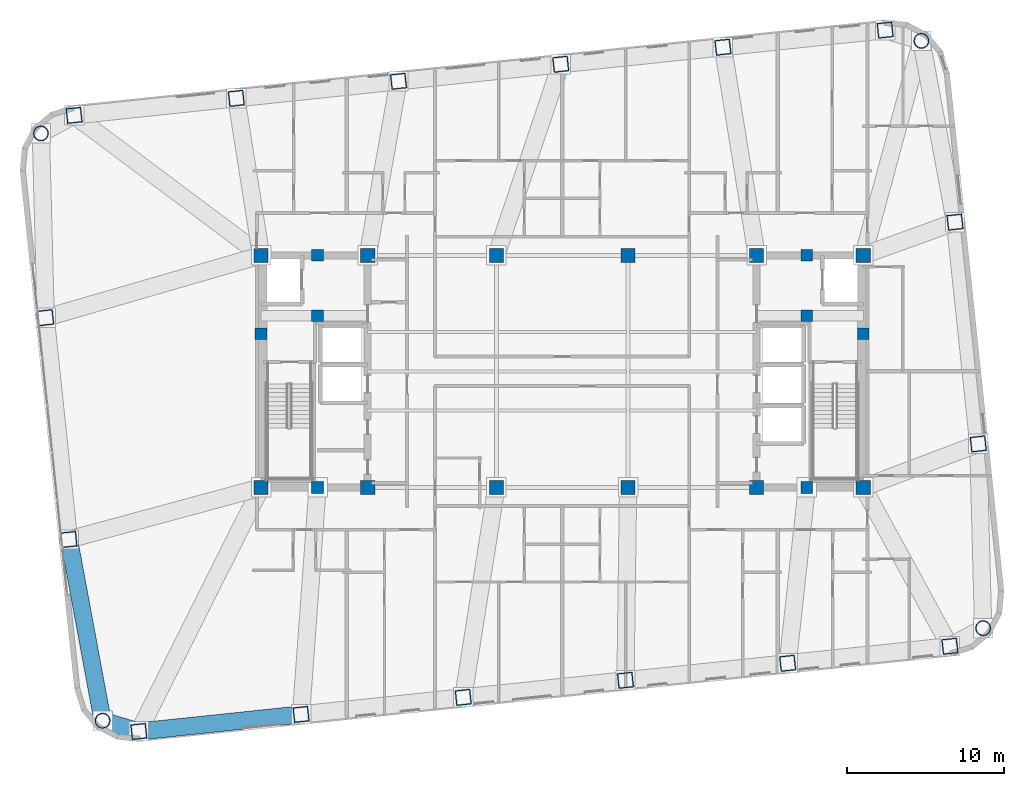
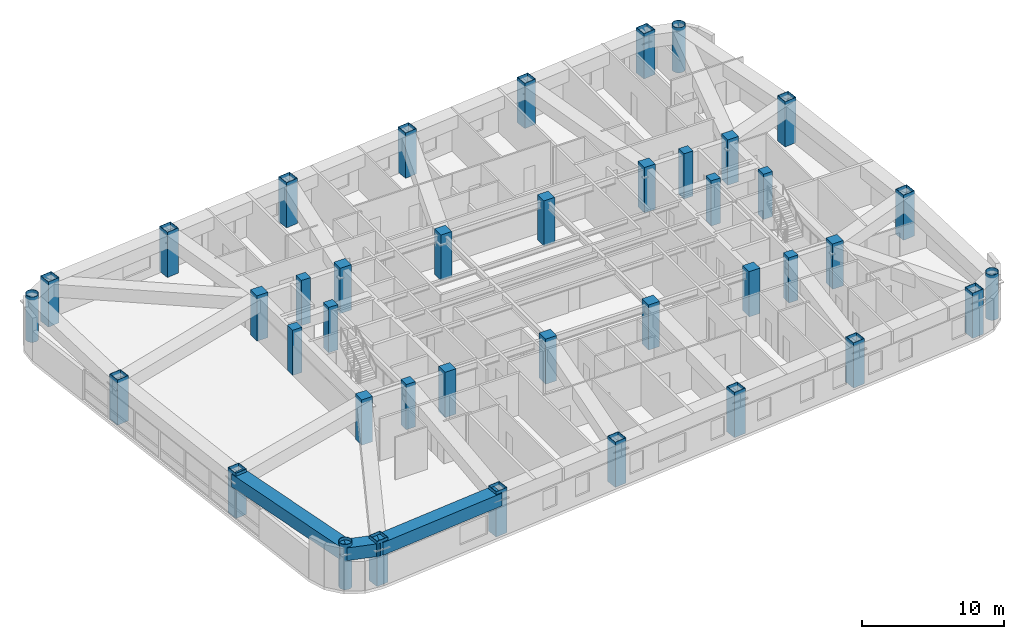
# One storey, part 1 of 14: 40 columns, 3 beams.
"""IFC4 building model written with IfcOpenShell, lengths in metres."""

from ifc_helpers import new_model, si_unit, direction, frame, origin, origin_2d, place, context, subcontext, project, spatial, rectangle, hollow_rectangle, hollow_circle, extrude, material, material_profile, profile_set, type_object, element, save


model = new_model("IFC4")

# Units and contexts
model_context = context("Model", 3, precision=1e-05, world=origin(), true_north=direction((0.0, 1.0)))
body_context = subcontext(model_context, "Body", "Model", "MODEL_VIEW")
ifc_project = project(units=[si_unit("LENGTHUNIT", "METRE"), si_unit("AREAUNIT", "SQUARE_METRE"), si_unit("VOLUMEUNIT", "CUBIC_METRE"), si_unit("PLANEANGLEUNIT", "RADIAN"), si_unit("MASSUNIT", "GRAM", prefix="KILO")], contexts=[model_context])

# Site, building, storey
site_placement = place(None, origin())
site = spatial("IfcSite", under=ifc_project, at=site_placement, CompositionType="ELEMENT")
building_placement = place(site_placement, origin())
building = spatial("IfcBuilding", under=site, at=building_placement, Name="Voryun Gate Residences", CompositionType="ELEMENT")
storey_placement = place(building_placement, frame((0.0, 0.0, 144.300048828125)))
storey = spatial("IfcBuildingStorey", under=building, at=storey_placement, Name="L35", CompositionType="ELEMENT", Elevation=144.300048828125)

# Columns
ifc_material_1 = material(Name="Concrete C50/60", Category="concrete")
ifc_material_profile_1 = material_profile(ifc_material_1, rectangle(XDim=0.75, YDim=0.75, at=origin_2d()), Name="RC-750x750")
ifc_profile_set_1 = profile_set([ifc_material_profile_1], Name="Concrete C50/60")
column_type_1 = type_object("IfcColumnType", Name="COL_CORE_750", PredefinedType="COLUMN", material=ifc_profile_set_1)
for number, where, z_axis, x_axis, name in (
    (1, (-19.199951171875, 2.39990234375, 0.0), (0.0, 0.0, 1.0), (1.0, 0.0, 0.0), "L35 Core boundary column WC-MW"),
    (2, (-15.60009765625, -7.39990234375, 0.0), (0.0, 0.0, 1.0), (1.0, 0.0, 0.0), "L35 Core boundary column WC-SM"),
    (3, (-15.60009765625, 7.39990234375, 0.0), (0.0, 0.0, 1.0), (1.0, 0.0, 0.0), "L35 Core boundary column WC-NM"),
    (4, (-15.60009765625, 3.550048828125, 0.0), (0.0, 0.0, 1.0), (1.0, 0.0, 0.0), "L35 Core boundary column WC-MM"),
    (5, (15.60009765625, 3.550048828125, 0.0), (0.0, 0.0, 1.0), (1.0, 0.0, 0.0), "L35 Core boundary column EC-MM"),
    (6, (15.60009765625, -7.39990234375, 0.0), (0.0, 0.0, 1.0), (1.0, 0.0, 0.0), "L35 Core boundary column EC-SM"),
    (7, (15.60009765625, 7.39990234375, 0.0), (0.0, 0.0, 1.0), (1.0, 0.0, 0.0), "L35 Core boundary column EC-NM"),
    (8, (19.199951171875, 2.39990234375, 0.0), (0.0, 0.0, 1.0), (1.0, 0.0, 0.0), "L35 Core boundary column EC-ME"),
):
    element("IfcColumn", number, at=place(storey_placement, frame(where, z_axis=z_axis, x_axis=x_axis)), inside=storey, type_object=column_type_1, Name=name, PredefinedType="COLUMN", context=body_context, shape_type="SweptSolid", body=[
        extrude(rectangle(XDim=0.75, YDim=0.75, at=origin_2d()), origin(), (0.0, 0.0, 1.0), 3.89990234375),
    ])
ifc_material_2 = material(Name="Concrete C50/60", Category="concrete")
ifc_material_profile_2 = material_profile(ifc_material_2, rectangle(XDim=0.89990234375, YDim=0.89990234375, at=origin_2d()), Name="RC-900x900")
ifc_profile_set_2 = profile_set([ifc_material_profile_2], Name="Concrete C50/60")
column_type_2 = type_object("IfcColumnType", Name="COL_CORE_900", PredefinedType="COLUMN", material=ifc_profile_set_2)
for number, where, z_axis, x_axis, name in (
    (9, (-19.199951171875, -7.39990234375, 0.0), (0.0, 0.0, 1.0), (1.0, 0.0, 0.0), "L35 Core boundary column WC-SW"),
    (10, (-19.199951171875, 7.39990234375, 0.0), (0.0, 0.0, 1.0), (1.0, 0.0, 0.0), "L35 Core boundary column WC-NW"),
    (11, (-12.39990234375, -7.39990234375, 0.0), (0.0, 0.0, 1.0), (1.0, 0.0, 0.0), "L35 Core boundary column WC-SE"),
    (12, (-12.39990234375, 7.39990234375, 0.0), (0.0, 0.0, 1.0), (1.0, 0.0, 0.0), "L35 Core boundary column WC-NE"),
    (13, (12.39990234375, -7.39990234375, 0.0), (0.0, 0.0, 1.0), (1.0, 0.0, 0.0), "L35 Core boundary column EC-SW"),
    (14, (12.39990234375, 7.39990234375, 0.0), (0.0, 0.0, 1.0), (1.0, 0.0, 0.0), "L35 Core boundary column EC-NW"),
    (15, (19.199951171875, -7.39990234375, 0.0), (0.0, 0.0, 1.0), (1.0, 0.0, 0.0), "L35 Core boundary column EC-SE"),
    (16, (19.199951171875, 7.39990234375, 0.0), (0.0, 0.0, 1.0), (1.0, 0.0, 0.0), "L35 Core boundary column EC-NE"),
    (17, (-4.199951171875, -7.39990234375, 0.0), (0.0, 0.0, 1.0), (1.0, 0.0, 0.0), "L35 Interior spine column SP-WS"),
    (18, (-4.199951171875, 7.39990234375, 0.0), (0.0, 0.0, 1.0), (1.0, 0.0, 0.0), "L35 Interior spine column SP-WN"),
    (19, (4.199951171875, -7.39990234375, 0.0), (0.0, 0.0, 1.0), (1.0, 0.0, 0.0), "L35 Interior spine column SP-ES"),
    (20, (4.199951171875, 7.39990234375, 0.0), (0.0, 0.0, 1.0), (1.0, 0.0, 0.0), "L35 Interior spine column SP-EN"),
):
    element("IfcColumn", number, at=place(storey_placement, frame(where, z_axis=z_axis, x_axis=x_axis)), inside=storey, type_object=column_type_2, Name=name, PredefinedType="COLUMN", context=body_context, shape_type="SweptSolid", body=[
        extrude(rectangle(XDim=0.89990234375, YDim=0.89990234375, at=origin_2d()), origin(), (0.0, 0.0, 1.0), 3.89990234375),
    ])
ifc_material_3 = material(Name="Steel SM420", Category="steel")
ifc_material_profile_3 = material_profile(ifc_material_3, hollow_circle(Radius=0.47509765625, WallThickness=0.031982421875, at=origin_2d()), Name="CHS-950x32")
ifc_profile_set_3 = profile_set([ifc_material_profile_3], Name="Steel SM420")
column_type_3 = type_object("IfcColumnType", Name="COL_CRN_950", PredefinedType="COLUMN", material=ifc_profile_set_3)
for number, where, z_axis, x_axis, name in (
    (21, (26.8408203125, -16.373779296875, 0.0), (0.0, 0.0, 1.0), (0.994521895368, 0.104528463268, 0.0), "L35 Exoskeleton column CSE"),
    (22, (22.90478515625, 21.07470703125, 0.0), (0.0, 0.0, 1.0), (0.994521895368, 0.104528463268, 0.0), "L35 Exoskeleton column CNE"),
    (23, (-33.24072265625, 15.173583984375, 0.0), (0.0, 0.0, 1.0), (0.994521895368, 0.104528463268, 0.0), "L35 Exoskeleton column CNW"),
    (24, (-29.3046875, -22.27490234375, 0.0), (0.0, 0.0, 1.0), (0.994521895368, 0.104528463268, 0.0), "L35 Exoskeleton column CSW"),
):
    element("IfcColumn", number, at=place(storey_placement, frame(where, z_axis=z_axis, x_axis=x_axis)), inside=storey, type_object=column_type_3, Name=name, PredefinedType="COLUMN", context=body_context, shape_type="SweptSolid", body=[
        extrude(hollow_circle(Radius=0.47509765625, WallThickness=0.031982421875, at=origin_2d()), origin(), (0.0, 0.0, 1.0), 3.89990234375),
    ])
ifc_material_4 = material(Name="Steel SM420", Category="steel")
ifc_material_profile_4 = material_profile(ifc_material_4, hollow_rectangle(XDim=0.949951171875, YDim=0.949951171875, WallThickness=0.031982421875, at=origin_2d()), Name="BOX-950x950x32")
ifc_profile_set_4 = profile_set([ifc_material_profile_4], Name="Steel SM420")
column_type_4 = type_object("IfcColumnType", Name="COL_EXO_B3", PredefinedType="COLUMN", material=ifc_profile_set_4)
for number, where, z_axis, x_axis, name in (
    (25, (-26.9931640625, -22.95947265625, 0.0), (0.0, 0.0, 1.0), (0.994521895368, 0.104528463268, 0.0), "L35 Exoskeleton column S1"),
    (26, (-16.650146484375, -21.87255859375, 0.0), (0.0, 0.0, 1.0), (0.994521895368, 0.104528463268, 0.0), "L35 Exoskeleton column S2"),
    (27, (-6.30712890625, -20.785400390625, 0.0), (0.0, 0.0, 1.0), (0.994521895368, 0.104528463268, 0.0), "L35 Exoskeleton column S3"),
    (28, (4.035888671875, -19.6982421875, 0.0), (0.0, 0.0, 1.0), (0.994521895368, 0.104528463268, 0.0), "L35 Exoskeleton column S4"),
    (29, (14.37890625, -18.611083984375, 0.0), (0.0, 0.0, 1.0), (0.994521895368, 0.104528463268, 0.0), "L35 Exoskeleton column S5"),
    (30, (24.721923828125, -17.524169921875, 0.0), (0.0, 0.0, 1.0), (0.994521895368, 0.104528463268, 0.0), "L35 Exoskeleton column S6"),
    (31, (26.533447265625, -4.6240234375, 0.0), (0.0, 0.0, 1.0), (0.994521895368, 0.104528463268, 0.0), "L35 Exoskeleton column E1"),
    (32, (25.047119140625, 9.51806640625, 0.0), (0.0, 0.0, 1.0), (0.994521895368, 0.104528463268, 0.0), "L35 Exoskeleton column E2"),
    (33, (20.593017578125, 21.759521484375, 0.0), (0.0, 0.0, 1.0), (0.994521895368, 0.104528463268, 0.0), "L35 Exoskeleton column N1"),
    (34, (10.25, 20.67236328125, 0.0), (0.0, 0.0, 1.0), (0.994521895368, 0.104528463268, 0.0), "L35 Exoskeleton column N2"),
    (35, (-0.093017578125, 19.58544921875, 0.0), (0.0, 0.0, 1.0), (0.994521895368, 0.104528463268, 0.0), "L35 Exoskeleton column N3"),
    (36, (-10.43603515625, 18.498291015625, 0.0), (0.0, 0.0, 1.0), (0.994521895368, 0.104528463268, 0.0), "L35 Exoskeleton column N4"),
    (37, (-20.779052734375, 17.4111328125, 0.0), (0.0, 0.0, 1.0), (0.994521895368, 0.104528463268, 0.0), "L35 Exoskeleton column N5"),
    (38, (-31.1220703125, 16.323974609375, 0.0), (0.0, 0.0, 1.0), (0.994521895368, 0.104528463268, 0.0), "L35 Exoskeleton column N6"),
    (39, (-32.93359375, 3.424072265625, 0.0), (0.0, 0.0, 1.0), (0.994521895368, 0.104528463268, 0.0), "L35 Exoskeleton column W1"),
    (40, (-31.447021484375, -10.718017578125, 0.0), (0.0, 0.0, 1.0), (0.994521895368, 0.104528463268, 0.0), "L35 Exoskeleton column W2"),
):
    element("IfcColumn", number, at=place(storey_placement, frame(where, z_axis=z_axis, x_axis=x_axis)), inside=storey, type_object=column_type_4, Name=name, PredefinedType="COLUMN", context=body_context, shape_type="SweptSolid", body=[
        extrude(hollow_rectangle(XDim=0.949951171875, YDim=0.949951171875, WallThickness=0.031982421875, at=origin_2d()), origin(), (0.0, 0.0, 1.0), 3.89990234375),
    ])

# Beams
ifc_material_5 = material(Name="Steel SM420", Category="steel")
ifc_material_profile_5 = material_profile(ifc_material_5, hollow_rectangle(XDim=1.10009765625, YDim=1.10009765625, WallThickness=0.035888671875, at=origin_2d()), Name="BOX-1100x1100x36")
ifc_profile_set_5 = profile_set([ifc_material_profile_5], Name="Steel SM420")
beam_type = type_object("IfcBeamType", Name="BM_ARCH_RIB", PredefinedType="USERDEFINED", material=ifc_profile_set_5)
beam_1_placement = place(storey_placement, frame((-26.9931640625, -22.95947265625, 3.099853515625), z_axis=(0.99452370336, 0.10451125994, 0.0), x_axis=(-0.10451125994, 0.99452370336, 0.0)))
element("IfcBeam", 41, at=beam_1_placement, inside=storey, type_object=beam_type, Name="BM-L35-SPAND-01", ObjectType="GIRDER", PredefinedType="USERDEFINED", context=body_context, shape_type="SweptSolid", body=[
    extrude(hollow_rectangle(XDim=1.10009765625, YDim=1.10009765625, WallThickness=0.035888671875, at=origin_2d()), origin(), (0.0, 0.0, 1.0), 10.39990234375),
])
beam_2_placement = place(storey_placement, frame((-31.447021484375, -10.718017578125, 3.099853515625), z_axis=(0.182267768769, -0.983248931079, 0.0), x_axis=(0.983248931079, 0.182267768769, 0.0)))
element("IfcBeam", 42, at=beam_2_placement, inside=storey, type_object=beam_type, Name="BM-L35-SPAND-19", ObjectType="GIRDER", PredefinedType="USERDEFINED", context=body_context, shape_type="SweptSolid", body=[
    extrude(hollow_rectangle(XDim=1.10009765625, YDim=1.10009765625, WallThickness=0.035888671875, at=origin_2d()), origin(), (0.0, 0.0, 1.0), 11.753662109375),
])
beam_3_placement = place(storey_placement, frame((-29.3046875, -22.27490234375, 3.099853515625), z_axis=(0.958834884093, -0.283964196768, 0.0), x_axis=(0.283964196768, 0.958834884093, 0.0)))
element("IfcBeam", 43, at=beam_3_placement, inside=storey, type_object=beam_type, Name="BM-L35-SPAND-20", ObjectType="GIRDER", PredefinedType="USERDEFINED", context=body_context, shape_type="SweptSolid", body=[
    extrude(hollow_rectangle(XDim=1.10009765625, YDim=1.10009765625, WallThickness=0.035888671875, at=origin_2d()), origin(), (0.0, 0.0, 1.0), 2.41064453125),
])

save(model, "model.ifc")
